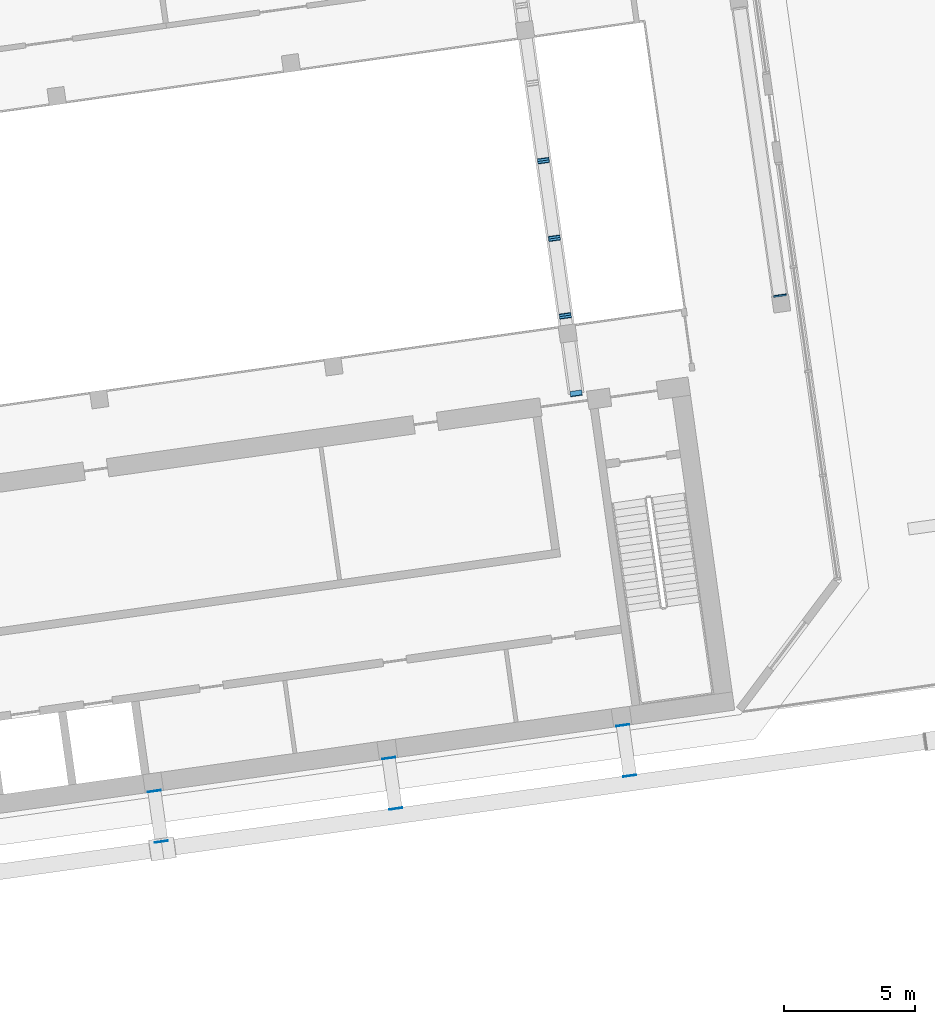
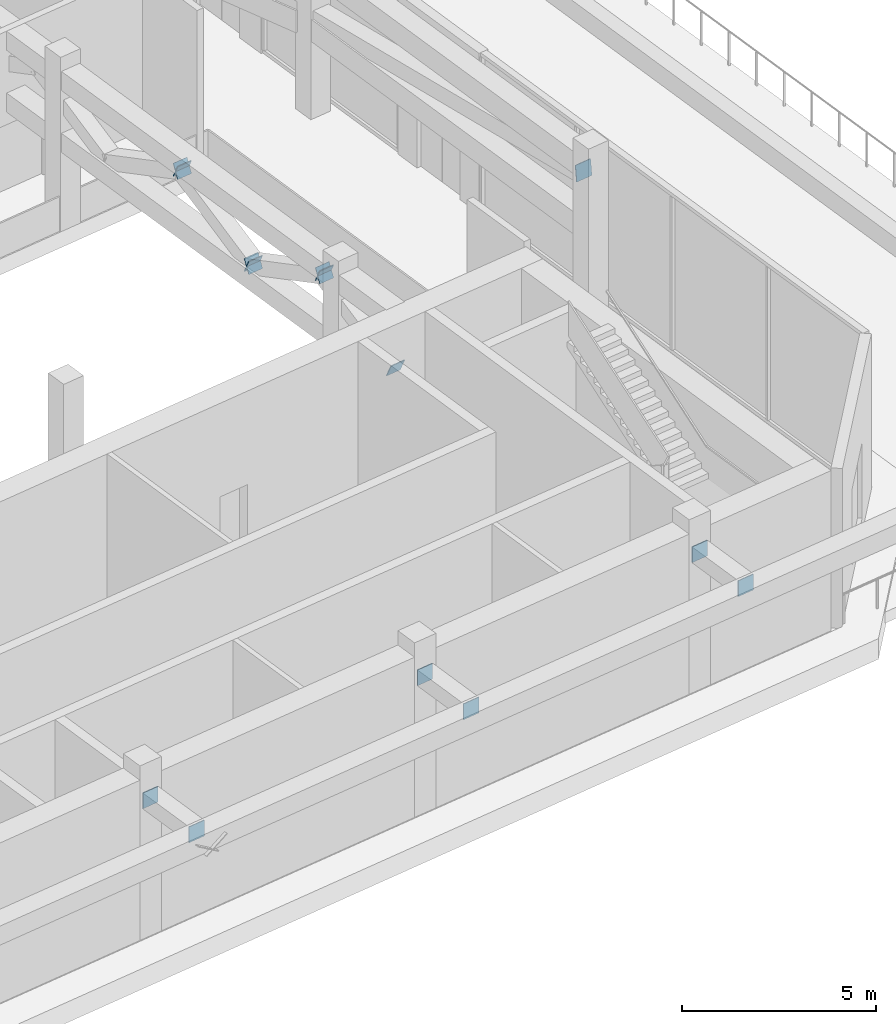
# One storey, part 36 of 41: 14 discrete accessories.
"""IFC4 building model written with IfcOpenShell, lengths in metres."""

from ifc_helpers import new_model, si_unit, direction, frame, origin, origin_2d, place, context, subcontext, project, spatial, rectangle, extrude, material, material_profile, profile_set, type_object, element, save


model = new_model("IFC4")

# Units and contexts
model_context = context("Model", 3, precision=1e-05, world=origin(), true_north=direction((0.0, 1.0)))
body_context = subcontext(model_context, "Body", "Model", "MODEL_VIEW")
ifc_project = project(units=[si_unit("LENGTHUNIT", "METRE"), si_unit("AREAUNIT", "SQUARE_METRE"), si_unit("VOLUMEUNIT", "CUBIC_METRE"), si_unit("PLANEANGLEUNIT", "RADIAN"), si_unit("MASSUNIT", "GRAM", prefix="KILO")], contexts=[model_context])

# Site, building, storey
site_placement = place(None, origin())
site = spatial("IfcSite", under=ifc_project, at=site_placement, CompositionType="ELEMENT")
building_placement = place(site_placement, origin())
building = spatial("IfcBuilding", under=site, at=building_placement, Name="Mirante Cascada Hotel Towers", CompositionType="ELEMENT")
storey_placement = place(building_placement, frame((0.0, 0.0, 151.9)))
storey = spatial("IfcBuildingStorey", under=building, at=storey_placement, Name="L35", CompositionType="ELEMENT", Elevation=151.9)

# Discrete accessories
ifc_material_1 = material(Name="Steel ASTM A572 Gr 50", Category="steel")
ifc_material_profile_1 = material_profile(ifc_material_1, rectangle(XDim=0.45, YDim=0.45, at=origin_2d()), Name="Connection plate 450x450x25 ASTM A572 Gr 50")
ifc_profile_set_1 = profile_set([ifc_material_profile_1], Name="Steel ASTM A572 Gr 50")
discrete_accessory_type_1 = type_object("IfcDiscreteAccessoryType", Name="Connection plate 450x450x25 ASTM A572 Gr 50", PredefinedType="BRACKET", material=ifc_profile_set_1)
for number, where, z_axis, x_axis, name in (
    (1, (84.3153, -0.4672, 3.0948), (-0.1280359, 0.9002521, 0.4161165), (-0.9900373, -0.1408053, 0.0), "Connection plate OR356D"),
    (2, (83.9004, 2.485, 4.4448), (-0.1280359, 0.9002521, 0.4161165), (-0.9900373, -0.1408053, 0.0), "Connection plate OR356D"),
    (3, (83.9004, 2.485, 4.4552), (-0.1280359, 0.9002521, -0.4161165), (-0.9900373, -0.1408053, 0.0), "Connection plate OR356D"),
):
    element("IfcDiscreteAccessory", number, at=place(storey_placement, frame(where, z_axis=z_axis, x_axis=x_axis)), inside=storey, type_object=discrete_accessory_type_1, Name=name, PredefinedType="BRACKET", context=body_context, shape_type="SweptSolid", body=[
        extrude(rectangle(XDim=0.45, YDim=0.45, at=origin_2d()), origin(), (0.0, 0.0, 1.0), 0.025),
    ])
for number, where, z_axis, x_axis, name in (
    (4, (83.4855, 5.4372, 3.1052), (-0.1275761, 0.9010064, -0.4146224), (-0.990124, -0.1401945, 0.0), "Connection plate OR356D"),
    (5, (83.4855, 5.4372, 3.0948), (-0.1275761, 0.9010064, 0.4146224), (-0.990124, -0.1401945, 0.0), "Connection plate OR356D"),
):
    element("IfcDiscreteAccessory", number, at=place(storey_placement, frame(where, z_axis=z_axis, x_axis=x_axis)), inside=storey, type_object=discrete_accessory_type_1, Name=name, PredefinedType="BRACKET", context=body_context, shape_type="SweptSolid", body=[
        extrude(rectangle(XDim=0.45, YDim=0.45, at=origin_2d()), origin(), (0.0, 0.0, 1.0), 0.0251),
    ])
for number, where, z_axis, x_axis, name in (
    (6, (83.0705, 8.3895, 4.4448), (-0.1240973, 0.9007064, 0.4163265), (-0.9906417, -0.1364884, 0.0), "Connection plate OR356D"),
    (7, (83.0705, 8.3895, 4.4552), (-0.1240973, 0.9007064, -0.4163265), (-0.9906417, -0.1364884, 0.0), "Connection plate OR356D"),
):
    element("IfcDiscreteAccessory", number, at=place(storey_placement, frame(where, z_axis=z_axis, x_axis=x_axis)), inside=storey, type_object=discrete_accessory_type_1, Name=name, PredefinedType="BRACKET", context=body_context, shape_type="SweptSolid", body=[
        extrude(rectangle(XDim=0.45, YDim=0.45, at=origin_2d()), origin(), (0.0, 0.0, 1.0), 0.025),
    ])
ifc_material_2 = material(Name="Steel ASTM A572 Gr 50", Category="steel")
ifc_material_profile_2 = material_profile(ifc_material_2, rectangle(XDim=0.5, YDim=0.5, at=origin_2d()), Name="Connection plate 500x500x25 ASTM A572 Gr 50")
ifc_profile_set_2 = profile_set([ifc_material_profile_2], Name="Steel ASTM A572 Gr 50")
discrete_accessory_type_2 = type_object("IfcDiscreteAccessoryType", Name="Connection plate 500x500x25 ASTM A572 Gr 50", PredefinedType="BRACKET", material=ifc_profile_set_2)
discrete_accessory_placement = place(storey_placement, frame((92.0689, 3.2822, 4.3486), z_axis=(0.1394234, -0.983931, 0.1115387), x_axis=(0.9901092, 0.1402989, 0.0)))
element("IfcDiscreteAccessory", 8, at=discrete_accessory_placement, inside=storey, type_object=discrete_accessory_type_2, Name="Connection plate BT35D", PredefinedType="BRACKET", context=body_context, shape_type="SweptSolid", body=[
    extrude(rectangle(XDim=0.5, YDim=0.5, at=origin_2d()), origin(), (0.0, 0.0, 1.0), 0.0251),
])
for number, where, z_axis, x_axis, name in (
    (9, (68.2616, -15.5746, 4.35), (0.1397442, -0.9901876, 0.0), (0.9901876, 0.1397442, 0.0), "Connection plate TIE"),
    (10, (68.5316, -17.4957, 4.35), (0.1397442, -0.9901876, 0.0), (0.9901876, 0.1397442, 0.0), "Connection plate TIE"),
):
    element("IfcDiscreteAccessory", number, at=place(storey_placement, frame(where, z_axis=z_axis, x_axis=x_axis)), inside=storey, type_object=discrete_accessory_type_2, Name=name, PredefinedType="BRACKET", context=body_context, shape_type="SweptSolid", body=[
        extrude(rectangle(XDim=0.5, YDim=0.5, at=origin_2d()), origin(), (0.0, 0.0, 1.0), 0.025),
    ])
for number, where, z_axis, x_axis, name in (
    (11, (77.174, -14.3221, 4.35), (0.1402989, -0.9901092, 0.0), (0.9901092, 0.1402989, 0.0), "Connection plate TIE"),
    (12, (77.444, -16.2432, 4.35), (0.1402989, -0.9901092, 0.0), (0.9901092, 0.1402989, 0.0), "Connection plate TIE"),
):
    element("IfcDiscreteAccessory", number, at=place(storey_placement, frame(where, z_axis=z_axis, x_axis=x_axis)), inside=storey, type_object=discrete_accessory_type_2, Name=name, PredefinedType="BRACKET", context=body_context, shape_type="SweptSolid", body=[
        extrude(rectangle(XDim=0.5, YDim=0.5, at=origin_2d()), origin(), (0.0, 0.0, 1.0), 0.0249),
    ])
for number, where, z_axis, x_axis, name in (
    (13, (86.0864, -13.0695, 4.35), (0.1397442, -0.9901876, 0.0), (0.9901876, 0.1397442, 0.0), "Connection plate TIE"),
    (14, (86.3564, -14.9906, 4.35), (0.1397442, -0.9901876, 0.0), (0.9901876, 0.1397442, 0.0), "Connection plate TIE"),
):
    element("IfcDiscreteAccessory", number, at=place(storey_placement, frame(where, z_axis=z_axis, x_axis=x_axis)), inside=storey, type_object=discrete_accessory_type_2, Name=name, PredefinedType="BRACKET", context=body_context, shape_type="SweptSolid", body=[
        extrude(rectangle(XDim=0.5, YDim=0.5, at=origin_2d()), origin(), (0.0, 0.0, 1.0), 0.025),
    ])

save(model, "model.ifc")
